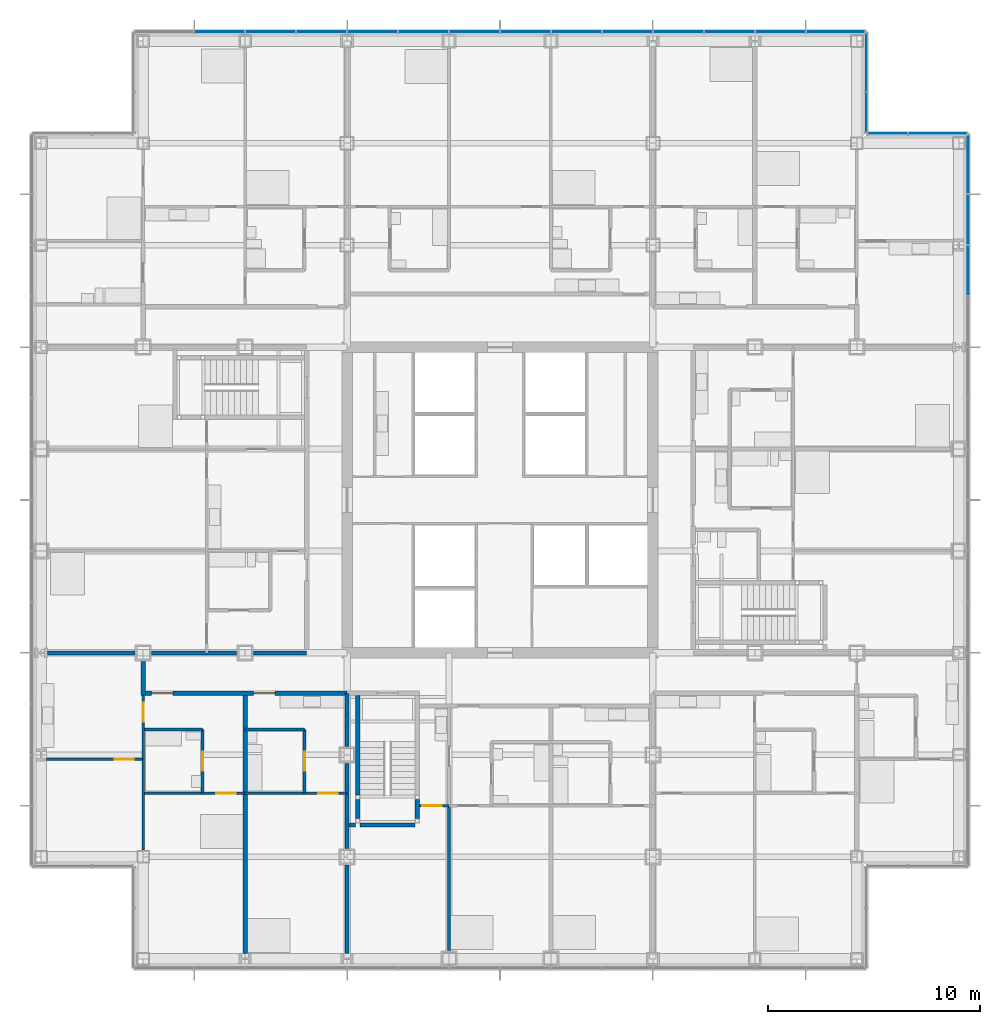
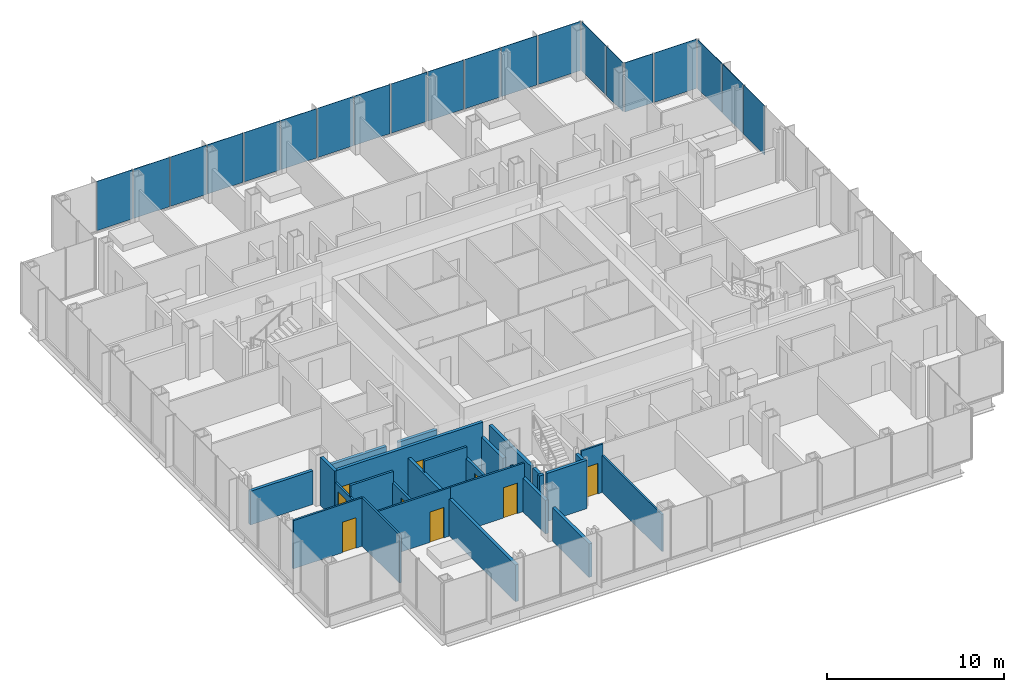
# One storey, part 13 of 21: 25 walls, 20 plates, 9 doors, 9 openings, 4 elements without a shape of their own.
"""IFC4 building model written with IfcOpenShell, lengths in metres."""

from ifc_helpers import new_model, si_unit, direction, frame, frame_2d, origin, origin_2d, place, context, subcontext, project, spatial, rectangle, extrude, material, layer, layer_set, type_object, element, fill, aggregate, save


model = new_model("IFC4")

# Units and contexts
model_context = context("Model", 3, precision=1e-05, world=origin(), true_north=direction((0.0, 1.0)))
body_context = subcontext(model_context, "Body", "Model", "MODEL_VIEW")
ifc_project = project(units=[si_unit("LENGTHUNIT", "METRE"), si_unit("AREAUNIT", "SQUARE_METRE"), si_unit("VOLUMEUNIT", "CUBIC_METRE"), si_unit("PLANEANGLEUNIT", "RADIAN"), si_unit("MASSUNIT", "GRAM", prefix="KILO")], contexts=[model_context])

# Site, building, storey
site_placement = place(None, origin())
site = spatial("IfcSite", under=ifc_project, at=site_placement, CompositionType="ELEMENT")
building_placement = place(site_placement, origin())
building = spatial("IfcBuilding", under=site, at=building_placement, Name="Kvirike Care Tower", CompositionType="ELEMENT")
storey_placement = place(building_placement, frame((0.0, 0.0, 37.5)))
storey = spatial("IfcBuildingStorey", under=building, at=storey_placement, Name="L09", CompositionType="ELEMENT", Elevation=37.5)

# Curtain wall, plates
ifc_material_1 = material(Name="Anodised aluminium stick system", Category="aluminium")
curtain_wall_type = type_object("IfcCurtainWallType", Name="CW-A STICK CURTAIN WALL", PredefinedType="NOTDEFINED", material=ifc_material_1)
curtain_wall_1_placement = place(storey_placement, origin())
curtain_wall_1 = element("IfcCurtainWall", 1, at=curtain_wall_1_placement, inside=storey, type_object=curtain_wall_type, Name="Curtain wall L09 face 7", PredefinedType="NOTDEFINED")
ifc_material_2 = material(Name="Tinted double glazed unit", Category="glass")
ifc_layer_1 = layer(ifc_material_2, 0.031982421875)
ifc_layer_set_1 = layer_set([ifc_layer_1], Name="TINTED VISION PANEL 32")
plate_type = type_object("IfcPlateType", Name="TINTED VISION PANEL 32", PredefinedType="CURTAIN_PANEL", material=ifc_layer_set_1)
plate_1_placement = place(storey_placement, frame((43.64990234375, 46.800048828125, 0.10009765625), z_axis=(0.0, 0.0, 1.0), x_axis=(0.0, 1.0, 0.0)))
plate_1 = element("IfcPlate", 2, at=plate_1_placement, type_object=plate_type, Name="CW-A panel L09 face 7.12", PredefinedType="CURTAIN_PANEL", context=body_context, shape_type="SweptSolid", body=[
    extrude(rectangle(XDim=2.3349609375, YDim=0.031982421875, at=origin_2d()), origin(), (0.0, 0.0, 1.0), 3.39990234375),
])
plate_2_placement = place(storey_placement, frame((43.64990234375, 49.199951171875, 0.10009765625), z_axis=(0.0, 0.0, 1.0), x_axis=(0.0, 1.0, 0.0)))
plate_2 = element("IfcPlate", 3, at=plate_2_placement, type_object=plate_type, Name="CW-A panel L09 face 7.13", PredefinedType="CURTAIN_PANEL", context=body_context, shape_type="SweptSolid", body=[
    extrude(rectangle(XDim=2.3349609375, YDim=0.031982421875, at=origin_2d()), origin(), (0.0, 0.0, 1.0), 3.39990234375),
])
plate_3_placement = place(storey_placement, frame((43.64990234375, 51.808837890625, 0.10009765625), z_axis=(0.0, 0.0, 1.0), x_axis=(0.0, 1.0, 0.0)))
plate_3 = element("IfcPlate", 4, at=plate_3_placement, type_object=plate_type, Name="CW-A panel L09 face 7.14", PredefinedType="CURTAIN_PANEL", context=body_context, shape_type="SweptSolid", body=[
    extrude(rectangle(XDim=2.75244140625, YDim=0.031982421875, at=origin_2d()), origin(), (0.0, 0.0, 1.0), 3.39990234375),
])
aggregate(curtain_wall_1, [plate_1, plate_2, plate_3])

curtain_wall_2_placement = place(storey_placement, origin())
curtain_wall_2 = element("IfcCurtainWall", 5, at=curtain_wall_2_placement, inside=storey, type_object=curtain_wall_type, Name="Curtain wall L09 face 8", PredefinedType="NOTDEFINED")
plate_4_placement = place(storey_placement, frame((42.208740234375, 53.25, 0.10009765625), z_axis=(0.0, 0.0, 1.0), x_axis=(-1.0, 0.0, 0.0)))
plate_4 = element("IfcPlate", 6, at=plate_4_placement, type_object=plate_type, Name="CW-A panel L09 face 8.1", PredefinedType="CURTAIN_PANEL", context=body_context, shape_type="SweptSolid", body=[
    extrude(rectangle(XDim=2.75244140625, YDim=0.031982421875, at=origin_2d()), origin(), (0.0, 0.0, 1.0), 3.39990234375),
])
plate_5_placement = place(storey_placement, frame((39.84130859375, 53.25, 0.10009765625), z_axis=(0.0, 0.0, 1.0), x_axis=(-1.0, 0.0, 0.0)))
plate_5 = element("IfcPlate", 7, at=plate_5_placement, type_object=plate_type, Name="CW-A panel L09 face 8.2", PredefinedType="CURTAIN_PANEL", context=body_context, shape_type="SweptSolid", body=[
    extrude(rectangle(XDim=1.8525390625, YDim=0.031982421875, at=origin_2d()), origin(), (0.0, 0.0, 1.0), 3.39990234375),
])
aggregate(curtain_wall_2, [plate_4, plate_5])

curtain_wall_3_placement = place(storey_placement, origin())
curtain_wall_3 = element("IfcCurtainWall", 8, at=curtain_wall_3_placement, inside=storey, type_object=curtain_wall_type, Name="Curtain wall L09 face 9", PredefinedType="NOTDEFINED")
plate_6_placement = place(storey_placement, frame((38.85009765625, 54.2412109375, 0.10009765625), z_axis=(0.0, 0.0, 1.0), x_axis=(0.0, 1.0, 0.0)))
plate_6 = element("IfcPlate", 9, at=plate_6_placement, type_object=plate_type, Name="CW-A panel L09 face 9.1", PredefinedType="CURTAIN_PANEL", context=body_context, shape_type="SweptSolid", body=[
    extrude(rectangle(XDim=1.8525390625, YDim=0.031982421875, at=origin_2d()), origin(), (0.0, 0.0, 1.0), 3.39990234375),
])
plate_7_placement = place(storey_placement, frame((38.85009765625, 56.608642578125, 0.10009765625), z_axis=(0.0, 0.0, 1.0), x_axis=(0.0, 1.0, 0.0)))
plate_7 = element("IfcPlate", 10, at=plate_7_placement, type_object=plate_type, Name="CW-A panel L09 face 9.2", PredefinedType="CURTAIN_PANEL", context=body_context, shape_type="SweptSolid", body=[
    extrude(rectangle(XDim=2.75244140625, YDim=0.031982421875, at=origin_2d()), origin(), (0.0, 0.0, 1.0), 3.39990234375),
])
aggregate(curtain_wall_3, [plate_6, plate_7])

curtain_wall_4_placement = place(storey_placement, origin())
curtain_wall_4 = element("IfcCurtainWall", 11, at=curtain_wall_4_placement, inside=storey, type_object=curtain_wall_type, Name="Curtain wall L09 face 10", PredefinedType="NOTDEFINED")
plate_8_placement = place(storey_placement, frame((37.40869140625, 58.050048828125, 0.10009765625), z_axis=(0.0, 0.0, 1.0), x_axis=(-1.0, 0.0, 0.0)))
plate_8 = element("IfcPlate", 12, at=plate_8_placement, type_object=plate_type, Name="CW-A panel L09 face 10.1", PredefinedType="CURTAIN_PANEL", context=body_context, shape_type="SweptSolid", body=[
    extrude(rectangle(XDim=2.75244140625, YDim=0.031982421875, at=origin_2d()), origin(), (0.0, 0.0, 1.0), 3.39990234375),
])
plate_9_placement = place(storey_placement, frame((34.800048828125, 58.050048828125, 0.10009765625), z_axis=(0.0, 0.0, 1.0), x_axis=(-1.0, 0.0, 0.0)))
plate_9 = element("IfcPlate", 13, at=plate_9_placement, type_object=plate_type, Name="CW-A panel L09 face 10.2", PredefinedType="CURTAIN_PANEL", context=body_context, shape_type="SweptSolid", body=[
    extrude(rectangle(XDim=2.3349609375, YDim=0.031982421875, at=origin_2d()), origin(), (0.0, 0.0, 1.0), 3.39990234375),
])
plate_10_placement = place(storey_placement, frame((32.39990234375, 58.050048828125, 0.10009765625), z_axis=(0.0, 0.0, 1.0), x_axis=(-1.0, 0.0, 0.0)))
plate_10 = element("IfcPlate", 14, at=plate_10_placement, type_object=plate_type, Name="CW-A panel L09 face 10.3", PredefinedType="CURTAIN_PANEL", context=body_context, shape_type="SweptSolid", body=[
    extrude(rectangle(XDim=2.3349609375, YDim=0.031982421875, at=origin_2d()), origin(), (0.0, 0.0, 1.0), 3.39990234375),
])
plate_11_placement = place(storey_placement, frame((30.0, 58.050048828125, 0.10009765625), z_axis=(0.0, 0.0, 1.0), x_axis=(-1.0, 0.0, 0.0)))
plate_11 = element("IfcPlate", 15, at=plate_11_placement, type_object=plate_type, Name="CW-A panel L09 face 10.4", PredefinedType="CURTAIN_PANEL", context=body_context, shape_type="SweptSolid", body=[
    extrude(rectangle(XDim=2.3349609375, YDim=0.031982421875, at=origin_2d()), origin(), (0.0, 0.0, 1.0), 3.39990234375),
])
plate_12_placement = place(storey_placement, frame((27.60009765625, 58.050048828125, 0.10009765625), z_axis=(0.0, 0.0, 1.0), x_axis=(-1.0, 0.0, 0.0)))
plate_12 = element("IfcPlate", 16, at=plate_12_placement, type_object=plate_type, Name="CW-A panel L09 face 10.5", PredefinedType="CURTAIN_PANEL", context=body_context, shape_type="SweptSolid", body=[
    extrude(rectangle(XDim=2.3349609375, YDim=0.031982421875, at=origin_2d()), origin(), (0.0, 0.0, 1.0), 3.39990234375),
])
plate_13_placement = place(storey_placement, frame((25.199951171875, 58.050048828125, 0.10009765625), z_axis=(0.0, 0.0, 1.0), x_axis=(-1.0, 0.0, 0.0)))
plate_13 = element("IfcPlate", 17, at=plate_13_placement, type_object=plate_type, Name="CW-A panel L09 face 10.6", PredefinedType="CURTAIN_PANEL", context=body_context, shape_type="SweptSolid", body=[
    extrude(rectangle(XDim=2.3349609375, YDim=0.031982421875, at=origin_2d()), origin(), (0.0, 0.0, 1.0), 3.39990234375),
])
plate_14_placement = place(storey_placement, frame((22.800048828125, 58.050048828125, 0.10009765625), z_axis=(0.0, 0.0, 1.0), x_axis=(-1.0, 0.0, 0.0)))
plate_14 = element("IfcPlate", 18, at=plate_14_placement, type_object=plate_type, Name="CW-A panel L09 face 10.7", PredefinedType="CURTAIN_PANEL", context=body_context, shape_type="SweptSolid", body=[
    extrude(rectangle(XDim=2.3349609375, YDim=0.031982421875, at=origin_2d()), origin(), (0.0, 0.0, 1.0), 3.39990234375),
])
plate_15_placement = place(storey_placement, frame((20.39990234375, 58.050048828125, 0.10009765625), z_axis=(0.0, 0.0, 1.0), x_axis=(-1.0, 0.0, 0.0)))
plate_15 = element("IfcPlate", 19, at=plate_15_placement, type_object=plate_type, Name="CW-A panel L09 face 10.8", PredefinedType="CURTAIN_PANEL", context=body_context, shape_type="SweptSolid", body=[
    extrude(rectangle(XDim=2.3349609375, YDim=0.031982421875, at=origin_2d()), origin(), (0.0, 0.0, 1.0), 3.39990234375),
])
plate_16_placement = place(storey_placement, frame((18.0, 58.050048828125, 0.10009765625), z_axis=(0.0, 0.0, 1.0), x_axis=(-1.0, 0.0, 0.0)))
plate_16 = element("IfcPlate", 20, at=plate_16_placement, type_object=plate_type, Name="CW-A panel L09 face 10.9", PredefinedType="CURTAIN_PANEL", context=body_context, shape_type="SweptSolid", body=[
    extrude(rectangle(XDim=2.3349609375, YDim=0.031982421875, at=origin_2d()), origin(), (0.0, 0.0, 1.0), 3.39990234375),
])
plate_17_placement = place(storey_placement, frame((15.60009765625, 58.050048828125, 0.10009765625), z_axis=(0.0, 0.0, 1.0), x_axis=(-1.0, 0.0, 0.0)))
plate_17 = element("IfcPlate", 21, at=plate_17_placement, type_object=plate_type, Name="CW-A panel L09 face 10.10", PredefinedType="CURTAIN_PANEL", context=body_context, shape_type="SweptSolid", body=[
    extrude(rectangle(XDim=2.3349609375, YDim=0.031982421875, at=origin_2d()), origin(), (0.0, 0.0, 1.0), 3.39990234375),
])
plate_18_placement = place(storey_placement, frame((13.199951171875, 58.050048828125, 0.10009765625), z_axis=(0.0, 0.0, 1.0), x_axis=(-1.0, 0.0, 0.0)))
plate_18 = element("IfcPlate", 22, at=plate_18_placement, type_object=plate_type, Name="CW-A panel L09 face 10.11", PredefinedType="CURTAIN_PANEL", context=body_context, shape_type="SweptSolid", body=[
    extrude(rectangle(XDim=2.3349609375, YDim=0.031982421875, at=origin_2d()), origin(), (0.0, 0.0, 1.0), 3.39990234375),
])
plate_19_placement = place(storey_placement, frame((10.800048828125, 58.050048828125, 0.10009765625), z_axis=(0.0, 0.0, 1.0), x_axis=(-1.0, 0.0, 0.0)))
plate_19 = element("IfcPlate", 23, at=plate_19_placement, type_object=plate_type, Name="CW-A panel L09 face 10.12", PredefinedType="CURTAIN_PANEL", context=body_context, shape_type="SweptSolid", body=[
    extrude(rectangle(XDim=2.3349609375, YDim=0.031982421875, at=origin_2d()), origin(), (0.0, 0.0, 1.0), 3.39990234375),
])
plate_20_placement = place(storey_placement, frame((8.39990234375, 58.050048828125, 0.10009765625), z_axis=(0.0, 0.0, 1.0), x_axis=(-1.0, 0.0, 0.0)))
plate_20 = element("IfcPlate", 24, at=plate_20_placement, type_object=plate_type, Name="CW-A panel L09 face 10.13", PredefinedType="CURTAIN_PANEL", context=body_context, shape_type="SweptSolid", body=[
    extrude(rectangle(XDim=2.3349609375, YDim=0.031982421875, at=origin_2d()), origin(), (0.0, 0.0, 1.0), 3.39990234375),
])
aggregate(curtain_wall_4, [plate_8, plate_9, plate_10, plate_11, plate_12, plate_13, plate_14, plate_15, plate_16, plate_17, plate_18, plate_19, plate_20])

# Wall, opening, door
ifc_material_3 = material(Name="Moisture-resistant board partition", Category="gypsum")
ifc_layer_2 = layer(ifc_material_3, 0.14990234375)
ifc_layer_set_2 = layer_set([ifc_layer_2], Name="BATHROOM WALL 150")
wall_type_1 = type_object("IfcWallType", Name="BATHROOM WALL 150", PredefinedType="PARTITIONING", material=ifc_layer_set_2)
wall_1_placement = place(storey_placement, frame((7.60009765625, 22.199951171875, 0.0), z_axis=(0.0, 0.0, 1.0), x_axis=(0.0, 1.0, 0.0)))
wall_1 = element("IfcWall", 25, at=wall_1_placement, inside=storey, type_object=wall_type_1, Name="Bathroom Wall 150 L09", PredefinedType="PARTITIONING", context=body_context, shape_type="SweptSolid", body=[
    extrude(rectangle(XDim=3.0, YDim=0.14990234375, at=frame_2d((1.5, 0.0))), origin(), (0.0, 0.0, 1.0), 2.550048828125),
])
opening_1_placement = place(wall_1_placement, frame((1.050048828125, 0.0, 0.0)))
opening_1 = element("IfcOpeningElement", 26, at=opening_1_placement, cuts=wall_1, Name="Opening 09-001", PredefinedType="OPENING", context=body_context, shape_type="SweptSolid", body=[
    extrude(rectangle(XDim=0.89990234375, YDim=2.10009765625, at=frame_2d((0.449951171875, 1.050048828125))), frame((0.0, 0.08544921875, 0.0), z_axis=(0.0, -1.0, 0.0), x_axis=(1.0, 0.0, 0.0)), (0.0, 0.0, 1.0), 0.1708984375),
])
ifc_material_4 = material(Name="Timber door set", Category="wood")
door_type_1 = type_object("IfcDoorType", Name="BATHROOM DOOR 900", OperationType="SINGLE_SWING_RIGHT", PredefinedType="DOOR", material=ifc_material_4)
door_1_placement = place(opening_1_placement, origin())
door_1 = element("IfcDoor", 27, at=door_1_placement, inside=storey, type_object=door_type_1, Name="Bathroom door", OperationType="SINGLE_SWING_LEFT", OverallHeight=2.10009765625, OverallWidth=0.89990234375, PredefinedType="DOOR", context=body_context, shape_type="SweptSolid", body=[
    extrude(rectangle(XDim=0.89990234375, YDim=2.10009765625, at=frame_2d((0.449951171875, 1.050048828125))), frame((0.0, 0.02197265625, 0.0), z_axis=(0.0, -1.0, 0.0), x_axis=(1.0, 0.0, 0.0)), (0.0, 0.0, 1.0), 0.0439453125),
])
fill(opening_1, door_1)

# Wall
wall_2_placement = place(storey_placement, frame((4.800048828125, 25.199951171875, 0.0), z_axis=(0.0, 0.0, 1.0), x_axis=(1.0, 0.0, 0.0)))
element("IfcWall", 28, at=wall_2_placement, inside=storey, type_object=wall_type_1, Name="Bathroom Wall 150 L09", PredefinedType="PARTITIONING", context=body_context, shape_type="SweptSolid", body=[
    extrude(rectangle(XDim=2.800048828125, YDim=0.14990234375, at=frame_2d((1.39990234375, 0.0))), origin(), (0.0, 0.0, 1.0), 3.330078125),
])

# Wall, opening, door
wall_3_placement = place(storey_placement, frame((12.39990234375, 22.199951171875, 0.0), z_axis=(0.0, 0.0, 1.0), x_axis=(0.0, 1.0, 0.0)))
wall_3 = element("IfcWall", 29, at=wall_3_placement, inside=storey, type_object=wall_type_1, Name="Bathroom Wall 150 L09", PredefinedType="PARTITIONING", context=body_context, shape_type="SweptSolid", body=[
    extrude(rectangle(XDim=3.0, YDim=0.14990234375, at=frame_2d((1.5, 0.0))), origin(), (0.0, 0.0, 1.0), 2.550048828125),
])
opening_2_placement = place(wall_3_placement, frame((1.050048828125, 0.0, 0.0)))
opening_2 = element("IfcOpeningElement", 30, at=opening_2_placement, cuts=wall_3, Name="Opening 09-005", PredefinedType="OPENING", context=body_context, shape_type="SweptSolid", body=[
    extrude(rectangle(XDim=0.89990234375, YDim=2.10009765625, at=frame_2d((0.449951171875, 1.050048828125))), frame((0.0, 0.08544921875, 0.0), z_axis=(0.0, -1.0, 0.0), x_axis=(1.0, 0.0, 0.0)), (0.0, 0.0, 1.0), 0.1708984375),
])
door_2_placement = place(opening_2_placement, origin())
door_2 = element("IfcDoor", 31, at=door_2_placement, inside=storey, type_object=door_type_1, Name="Bathroom door", OperationType="SINGLE_SWING_LEFT", OverallHeight=2.10009765625, OverallWidth=0.89990234375, PredefinedType="DOOR", context=body_context, shape_type="SweptSolid", body=[
    extrude(rectangle(XDim=0.89990234375, YDim=2.10009765625, at=frame_2d((0.449951171875, 1.050048828125))), frame((0.0, 0.02197265625, 0.0), z_axis=(0.0, -1.0, 0.0), x_axis=(1.0, 0.0, 0.0)), (0.0, 0.0, 1.0), 0.0439453125),
])
fill(opening_2, door_2)

# Wall
wall_4_placement = place(storey_placement, frame((9.60009765625, 25.199951171875, 0.0), z_axis=(0.0, 0.0, 1.0), x_axis=(1.0, 0.0, 0.0)))
element("IfcWall", 32, at=wall_4_placement, inside=storey, type_object=wall_type_1, Name="Bathroom Wall 150 L09", PredefinedType="PARTITIONING", context=body_context, shape_type="SweptSolid", body=[
    extrude(rectangle(XDim=2.7998046875, YDim=0.14990234375, at=frame_2d((1.39990234375, 0.0))), origin(), (0.0, 0.0, 1.0), 3.330078125),
])

# Wall, openings, doors
ifc_material_5 = material(Name="Plasterboard corridor wall", Category="gypsum")
ifc_layer_3 = layer(ifc_material_5, 0.199951171875)
ifc_layer_set_3 = layer_set([ifc_layer_3], Name="CORRIDOR WALL 200")
wall_type_2 = type_object("IfcWallType", Name="CORRIDOR WALL 200", PredefinedType="PARTITIONING", material=ifc_layer_set_3)
wall_5_placement = place(storey_placement, frame((4.800048828125, 26.89990234375, 0.0), z_axis=(0.0, 0.0, 1.0), x_axis=(1.0, 0.0, 0.0)))
wall_5 = element("IfcWall", 33, at=wall_5_placement, inside=storey, type_object=wall_type_2, Name="Corridor Wall 200 L09", PredefinedType="PARTITIONING", context=body_context, shape_type="SweptSolid", body=[
    extrude(rectangle(XDim=9.599853515625, YDim=0.199951171875, at=frame_2d((4.7998046875, 0.0))), origin(), (0.0, 0.0, 1.0), 3.330078125),
])
opening_3_placement = place(wall_5_placement, frame((0.39990234375, 0.0, 0.0)))
opening_3 = element("IfcOpeningElement", 34, at=opening_3_placement, cuts=wall_5, Name="Opening 09-007", PredefinedType="OPENING", context=body_context, shape_type="SweptSolid", body=[
    extrude(rectangle(XDim=1.0, YDim=2.10009765625, at=frame_2d((0.5, 1.050048828125))), frame((0.0, 0.110595703125, 0.0), z_axis=(0.0, -1.0, 0.0), x_axis=(1.0, 0.0, 0.0)), (0.0, 0.0, 1.0), 0.220947265625),
])
opening_4_placement = place(wall_5_placement, frame((5.199951171875, 0.0, 0.0)))
opening_4 = element("IfcOpeningElement", 35, at=opening_4_placement, cuts=wall_5, Name="Opening 09-008", PredefinedType="OPENING", context=body_context, shape_type="SweptSolid", body=[
    extrude(rectangle(XDim=1.0, YDim=2.10009765625, at=frame_2d((0.5, 1.050048828125))), frame((0.0, 0.110595703125, 0.0), z_axis=(0.0, -1.0, 0.0), x_axis=(1.0, 0.0, 0.0)), (0.0, 0.0, 1.0), 0.220947265625),
])
ifc_material_6 = material(Name="Timber door set", Category="wood")
door_type_2 = type_object("IfcDoorType", Name="FLAT ENTRANCE DOOR 1000", OperationType="SINGLE_SWING_LEFT", PredefinedType="DOOR", material=ifc_material_6)
door_3_placement = place(opening_3_placement, frame((1.0, 0.0, 0.0), z_axis=(0.0, 0.0, 1.0), x_axis=(-1.0, 0.0, 0.0)))
door_3 = element("IfcDoor", 36, at=door_3_placement, inside=storey, type_object=door_type_2, Name="One-bedroom apartment entrance", OperationType="SINGLE_SWING_LEFT", OverallHeight=2.10009765625, OverallWidth=1.0, PredefinedType="DOOR", context=body_context, shape_type="SweptSolid", body=[
    extrude(rectangle(XDim=1.0, YDim=2.10009765625, at=frame_2d((0.5, 1.050048828125))), frame((0.0, 0.02685546875, 0.0), z_axis=(0.0, -1.0, 0.0), x_axis=(1.0, 0.0, 0.0)), (0.0, 0.0, 1.0), 0.053955078125),
])
fill(opening_3, door_3)
door_4_placement = place(opening_4_placement, frame((1.0, 0.0, 0.0), z_axis=(0.0, 0.0, 1.0), x_axis=(-1.0, 0.0, 0.0)))
door_4 = element("IfcDoor", 37, at=door_4_placement, inside=storey, type_object=door_type_2, Name="Studio apartment entrance", OperationType="SINGLE_SWING_RIGHT", OverallHeight=2.10009765625, OverallWidth=1.0, PredefinedType="DOOR", context=body_context, shape_type="SweptSolid", body=[
    extrude(rectangle(XDim=1.0, YDim=2.10009765625, at=frame_2d((0.5, 1.050048828125))), frame((0.0, 0.02685546875, 0.0), z_axis=(0.0, -1.0, 0.0), x_axis=(1.0, 0.0, 0.0)), (0.0, 0.0, 1.0), 0.053955078125),
])
fill(opening_4, door_4)

# Wall
wall_6_placement = place(storey_placement, frame((4.800048828125, 26.800048828125, 0.0), z_axis=(0.0, 0.0, 1.0), x_axis=(0.0, 1.0, 0.0)))
element("IfcWall", 38, at=wall_6_placement, inside=storey, type_object=wall_type_2, Name="Corridor Wall 200 L09", PredefinedType="PARTITIONING", context=body_context, shape_type="SweptSolid", body=[
    extrude(rectangle(XDim=1.60498046875, YDim=0.199951171875, at=frame_2d((0.802490234375, 0.0))), origin(), (0.0, 0.0, 1.0), 3.330078125),
])

# Wall, opening, door
ifc_material_7 = material(Name="Plasterboard partition", Category="gypsum")
ifc_layer_4 = layer(ifc_material_7, 0.1201171875)
ifc_layer_set_4 = layer_set([ifc_layer_4], Name="PARTITION 120")
wall_type_3 = type_object("IfcWallType", Name="PARTITION 120", PredefinedType="PARTITIONING", material=ifc_layer_set_4)
wall_7_placement = place(storey_placement, frame((4.800048828125, 23.800048828125, 0.0), z_axis=(0.0, 0.0, 1.0), x_axis=(0.0, 1.0, 0.0)))
wall_7 = element("IfcWall", 39, at=wall_7_placement, inside=storey, type_object=wall_type_3, Name="Partition 120 L09", PredefinedType="PARTITIONING", context=body_context, shape_type="SweptSolid", body=[
    extrude(rectangle(XDim=3.0, YDim=0.1201171875, at=frame_2d((1.5, 0.0))), origin(), (0.0, 0.0, 1.0), 2.550048828125),
])
opening_5_placement = place(wall_7_placement, frame((1.75, 0.0, 0.0)))
opening_5 = element("IfcOpeningElement", 40, at=opening_5_placement, cuts=wall_7, Name="Opening 09-002", PredefinedType="OPENING", context=body_context, shape_type="SweptSolid", body=[
    extrude(rectangle(XDim=0.89990234375, YDim=2.10009765625, at=frame_2d((0.449951171875, 1.050048828125))), frame((0.0, 0.070556640625, 0.0), z_axis=(0.0, -1.0, 0.0), x_axis=(1.0, 0.0, 0.0)), (0.0, 0.0, 1.0), 0.14111328125),
])
ifc_material_8 = material(Name="Timber door set", Category="wood")
door_type_3 = type_object("IfcDoorType", Name="INTERNAL DOOR 900", OperationType="SINGLE_SWING_LEFT", PredefinedType="DOOR", material=ifc_material_8)
door_5_placement = place(opening_5_placement, origin())
door_5 = element("IfcDoor", 41, at=door_5_placement, inside=storey, type_object=door_type_3, Name="Hall door", OperationType="SINGLE_SWING_RIGHT", OverallHeight=2.10009765625, OverallWidth=0.89990234375, PredefinedType="DOOR", context=body_context, shape_type="SweptSolid", body=[
    extrude(rectangle(XDim=0.89990234375, YDim=2.10009765625, at=frame_2d((0.449951171875, 1.050048828125))), frame((0.0, 0.02197265625, 0.0), z_axis=(0.0, -1.0, 0.0), x_axis=(1.0, 0.0, 0.0)), (0.0, 0.0, 1.0), 0.0439453125),
])
fill(opening_5, door_5)

wall_8_placement = place(storey_placement, frame((0.2470703125, 23.800048828125, 0.0), z_axis=(0.0, 0.0, 1.0), x_axis=(1.0, 0.0, 0.0)))
wall_8 = element("IfcWall", 42, at=wall_8_placement, inside=storey, type_object=wall_type_3, Name="Partition 120 L09", PredefinedType="PARTITIONING", context=body_context, shape_type="SweptSolid", body=[
    extrude(rectangle(XDim=4.552978515625, YDim=0.1201171875, at=frame_2d((2.2763671875, 0.0))), origin(), (0.0, 0.0, 1.0), 3.330078125),
])
opening_6_placement = place(wall_8_placement, frame((3.202880859375, 0.0, 0.0)))
opening_6 = element("IfcOpeningElement", 43, at=opening_6_placement, cuts=wall_8, Name="Opening 09-003", PredefinedType="OPENING", context=body_context, shape_type="SweptSolid", body=[
    extrude(rectangle(XDim=0.89990234375, YDim=2.10009765625, at=frame_2d((0.449951171875, 1.050048828125))), frame((0.0, 0.070556640625, 0.0), z_axis=(0.0, -1.0, 0.0), x_axis=(1.0, 0.0, 0.0)), (0.0, 0.0, 1.0), 0.14111328125),
])
door_6_placement = place(opening_6_placement, frame((0.89990234375, 0.0, 0.0), z_axis=(0.0, 0.0, 1.0), x_axis=(-1.0, 0.0, 0.0)))
door_6 = element("IfcDoor", 44, at=door_6_placement, inside=storey, type_object=door_type_3, Name="Apartment living room door", OperationType="SINGLE_SWING_RIGHT", OverallHeight=2.10009765625, OverallWidth=0.89990234375, PredefinedType="DOOR", context=body_context, shape_type="SweptSolid", body=[
    extrude(rectangle(XDim=0.89990234375, YDim=2.10009765625, at=frame_2d((0.449951171875, 1.050048828125))), frame((0.0, 0.02197265625, 0.0), z_axis=(0.0, -1.0, 0.0), x_axis=(1.0, 0.0, 0.0)), (0.0, 0.0, 1.0), 0.0439453125),
])
fill(opening_6, door_6)

wall_9_placement = place(storey_placement, frame((4.800048828125, 22.199951171875, 0.0), z_axis=(0.0, 0.0, 1.0), x_axis=(1.0, 0.0, 0.0)))
wall_9 = element("IfcWall", 45, at=wall_9_placement, inside=storey, type_object=wall_type_3, Name="Partition 120 L09", PredefinedType="PARTITIONING", context=body_context, shape_type="SweptSolid", body=[
    extrude(rectangle(XDim=4.800048828125, YDim=0.1201171875, at=frame_2d((2.39990234375, 0.0))), origin(), (0.0, 0.0, 1.0), 3.330078125),
])
opening_7_placement = place(wall_9_placement, frame((3.449951171875, 0.0, 0.0)))
opening_7 = element("IfcOpeningElement", 46, at=opening_7_placement, cuts=wall_9, Name="Opening 09-004", PredefinedType="OPENING", context=body_context, shape_type="SweptSolid", body=[
    extrude(rectangle(XDim=0.89990234375, YDim=2.10009765625, at=frame_2d((0.449951171875, 1.050048828125))), frame((0.0, 0.070556640625, 0.0), z_axis=(0.0, -1.0, 0.0), x_axis=(1.0, 0.0, 0.0)), (0.0, 0.0, 1.0), 0.14111328125),
])
door_7_placement = place(opening_7_placement, origin())
door_7 = element("IfcDoor", 47, at=door_7_placement, inside=storey, type_object=door_type_3, Name="Apartment bedroom door", OperationType="SINGLE_SWING_LEFT", OverallHeight=2.10009765625, OverallWidth=0.89990234375, PredefinedType="DOOR", context=body_context, shape_type="SweptSolid", body=[
    extrude(rectangle(XDim=0.89990234375, YDim=2.10009765625, at=frame_2d((0.449951171875, 1.050048828125))), frame((0.0, 0.02197265625, 0.0), z_axis=(0.0, -1.0, 0.0), x_axis=(1.0, 0.0, 0.0)), (0.0, 0.0, 1.0), 0.0439453125),
])
fill(opening_7, door_7)

# Wall
wall_10_placement = place(storey_placement, frame((4.800048828125, 19.52001953125, 0.0), z_axis=(0.0, 0.0, 1.0), x_axis=(0.0, 1.0, 0.0)))
element("IfcWall", 48, at=wall_10_placement, inside=storey, type_object=wall_type_3, Name="Partition 120 L09", PredefinedType="PARTITIONING", context=body_context, shape_type="SweptSolid", body=[
    extrude(rectangle(XDim=4.280029296875, YDim=0.1201171875, at=frame_2d((2.14013671875, 0.0))), origin(), (0.0, 0.0, 1.0), 3.330078125),
])

# Wall, opening, door
wall_11_placement = place(storey_placement, frame((9.60009765625, 22.199951171875, 0.0), z_axis=(0.0, 0.0, 1.0), x_axis=(1.0, 0.0, 0.0)))
wall_11 = element("IfcWall", 49, at=wall_11_placement, inside=storey, type_object=wall_type_3, Name="Partition 120 L09", PredefinedType="PARTITIONING", context=body_context, shape_type="SweptSolid", body=[
    extrude(rectangle(XDim=4.7998046875, YDim=0.1201171875, at=frame_2d((2.39990234375, 0.0))), origin(), (0.0, 0.0, 1.0), 3.330078125),
])
opening_8_placement = place(wall_11_placement, frame((3.449951171875, 0.0, 0.0)))
opening_8 = element("IfcOpeningElement", 50, at=opening_8_placement, cuts=wall_11, Name="Opening 09-006", PredefinedType="OPENING", context=body_context, shape_type="SweptSolid", body=[
    extrude(rectangle(XDim=0.89990234375, YDim=2.10009765625, at=frame_2d((0.449951171875, 1.050048828125))), frame((0.0, 0.070556640625, 0.0), z_axis=(0.0, -1.0, 0.0), x_axis=(1.0, 0.0, 0.0)), (0.0, 0.0, 1.0), 0.14111328125),
])
door_8_placement = place(opening_8_placement, origin())
door_8 = element("IfcDoor", 51, at=door_8_placement, inside=storey, type_object=door_type_3, Name="Studio apartment living room door", OperationType="SINGLE_SWING_LEFT", OverallHeight=2.10009765625, OverallWidth=0.89990234375, PredefinedType="DOOR", context=body_context, shape_type="SweptSolid", body=[
    extrude(rectangle(XDim=0.89990234375, YDim=2.10009765625, at=frame_2d((0.449951171875, 1.050048828125))), frame((0.0, 0.02197265625, 0.0), z_axis=(0.0, -1.0, 0.0), x_axis=(1.0, 0.0, 0.0)), (0.0, 0.0, 1.0), 0.0439453125),
])
fill(opening_8, door_8)

wall_12_placement = place(storey_placement, frame((17.800048828125, 21.60009765625, 0.0), z_axis=(0.0, 0.0, 1.0), x_axis=(1.0, 0.0, 0.0)))
wall_12 = element("IfcWall", 52, at=wall_12_placement, inside=storey, type_object=wall_type_3, Name="Partition 120 L09", PredefinedType="PARTITIONING", context=body_context, shape_type="SweptSolid", body=[
    extrude(rectangle(XDim=1.39990234375, YDim=0.1201171875, at=frame_2d((0.699951171875, 0.0))), origin(), (0.0, 0.0, 1.0), 3.330078125),
])
opening_9_placement = place(wall_12_placement, frame((0.14990234375, 0.0, 0.0)))
opening_9 = element("IfcOpeningElement", 53, at=opening_9_placement, cuts=wall_12, Name="Opening 09-027", PredefinedType="OPENING", context=body_context, shape_type="SweptSolid", body=[
    extrude(rectangle(XDim=0.89990234375, YDim=2.10009765625, at=frame_2d((0.449951171875, 1.050048828125))), frame((0.0, 0.070556640625, 0.0), z_axis=(0.0, -1.0, 0.0), x_axis=(1.0, 0.0, 0.0)), (0.0, 0.0, 1.0), 0.14111328125),
])
door_9_placement = place(opening_9_placement, origin())
door_9 = element("IfcDoor", 54, at=door_9_placement, inside=storey, type_object=door_type_3, Name="Apartment living room door", OperationType="SINGLE_SWING_RIGHT", OverallHeight=2.10009765625, OverallWidth=0.89990234375, PredefinedType="DOOR", context=body_context, shape_type="SweptSolid", body=[
    extrude(rectangle(XDim=0.89990234375, YDim=2.10009765625, at=frame_2d((0.449951171875, 1.050048828125))), frame((0.0, 0.02197265625, 0.0), z_axis=(0.0, -1.0, 0.0), x_axis=(1.0, 0.0, 0.0)), (0.0, 0.0, 1.0), 0.0439453125),
])
fill(opening_9, door_9)

# Walls
wall_13_placement = place(storey_placement, frame((19.199951171875, 14.794921875, 0.0), z_axis=(0.0, 0.0, 1.0), x_axis=(0.0, 1.0, 0.0)))
element("IfcWall", 55, at=wall_13_placement, inside=storey, type_object=wall_type_3, Name="Partition 120 L09", PredefinedType="PARTITIONING", context=body_context, shape_type="SweptSolid", body=[
    extrude(rectangle(XDim=6.80517578125, YDim=0.1201171875, at=frame_2d((3.402587890625, 0.0))), origin(), (0.0, 0.0, 1.0), 2.550048828125),
])
ifc_material_9 = material(Name="Plasterboard party wall", Category="gypsum")
ifc_layer_5 = layer(ifc_material_9, 0.199951171875)
ifc_layer_set_5 = layer_set([ifc_layer_5], Name="PARTY WALL 200")
wall_type_4 = type_object("IfcWallType", Name="PARTY WALL 200", PredefinedType="PARTITIONING", material=ifc_layer_set_5)
wall_14_placement = place(storey_placement, frame((9.60009765625, 14.64697265625, 0.0), z_axis=(0.0, 0.0, 1.0), x_axis=(0.0, 1.0, 0.0)))
element("IfcWall", 56, at=wall_14_placement, inside=storey, type_object=wall_type_4, Name="Party Wall 200 L09", PredefinedType="PARTITIONING", context=body_context, shape_type="SweptSolid", body=[
    extrude(rectangle(XDim=12.153076171875, YDim=0.199951171875, at=frame_2d((6.07666015625, 0.0))), origin(), (0.0, 0.0, 1.0), 2.550048828125),
])
wall_15_placement = place(storey_placement, frame((12.5, 28.800048828125, 0.0), z_axis=(0.0, 0.0, 1.0), x_axis=(-1.0, 0.0, 0.0)))
element("IfcWall", 57, at=wall_15_placement, inside=storey, type_object=wall_type_4, Name="Party Wall 200 L09", PredefinedType="PARTITIONING", context=body_context, shape_type="SweptSolid", body=[
    extrude(rectangle(XDim=2.5048828125, YDim=0.199951171875, at=frame_2d((1.25244140625, 0.0))), origin(), (0.0, 0.0, 1.0), 2.320068359375),
])
wall_16_placement = place(storey_placement, frame((9.205078125, 28.800048828125, 0.0), z_axis=(0.0, 0.0, 1.0), x_axis=(-1.0, 0.0, 0.0)))
element("IfcWall", 58, at=wall_16_placement, inside=storey, type_object=wall_type_4, Name="Party Wall 200 L09", PredefinedType="PARTITIONING", context=body_context, shape_type="SweptSolid", body=[
    extrude(rectangle(XDim=4.010009765625, YDim=0.199951171875, at=frame_2d((2.0048828125, 0.0))), origin(), (0.0, 0.0, 1.0), 2.320068359375),
])
wall_17_placement = place(storey_placement, frame((4.405029296875, 28.800048828125, 0.0), z_axis=(0.0, 0.0, 1.0), x_axis=(-1.0, 0.0, 0.0)))
element("IfcWall", 59, at=wall_17_placement, inside=storey, type_object=wall_type_4, Name="Party Wall 200 L09", PredefinedType="PARTITIONING", context=body_context, shape_type="SweptSolid", body=[
    extrude(rectangle(XDim=4.1005859375, YDim=0.199951171875, at=frame_2d((2.05029296875, 0.0))), origin(), (0.0, 0.0, 1.0), 2.320068359375),
])
wall_18_placement = place(storey_placement, frame((14.39990234375, 14.64697265625, 0.0), z_axis=(0.0, 0.0, 1.0), x_axis=(0.0, 1.0, 0.0)))
element("IfcWall", 60, at=wall_18_placement, inside=storey, type_object=wall_type_4, Name="Party Wall 200 L09", PredefinedType="PARTITIONING", context=body_context, shape_type="SweptSolid", body=[
    extrude(rectangle(XDim=4.157958984375, YDim=0.199951171875, at=frame_2d((2.0791015625, 0.0))), origin(), (0.0, 0.0, 1.0), 2.320068359375),
])
wall_19_placement = place(storey_placement, frame((14.39990234375, 19.594970703125, 0.0), z_axis=(0.0, 0.0, 1.0), x_axis=(0.0, 1.0, 0.0)))
element("IfcWall", 61, at=wall_19_placement, inside=storey, type_object=wall_type_4, Name="Party Wall 200 L09", PredefinedType="PARTITIONING", context=body_context, shape_type="SweptSolid", body=[
    extrude(rectangle(XDim=4.010009765625, YDim=0.199951171875, at=frame_2d((2.0048828125, 0.0))), origin(), (0.0, 0.0, 1.0), 2.320068359375),
])
wall_20_placement = place(storey_placement, frame((14.39990234375, 24.39501953125, 0.0), z_axis=(0.0, 0.0, 1.0), x_axis=(0.0, 1.0, 0.0)))
element("IfcWall", 62, at=wall_20_placement, inside=storey, type_object=wall_type_4, Name="Party Wall 200 L09", PredefinedType="PARTITIONING", context=body_context, shape_type="SweptSolid", body=[
    extrude(rectangle(XDim=2.5048828125, YDim=0.199951171875, at=frame_2d((1.25244140625, 0.0))), origin(), (0.0, 0.0, 1.0), 2.320068359375),
])
ifc_material_10 = material(Name="Concrete C40/50", Category="concrete")
ifc_layer_6 = layer(ifc_material_10, 0.199951171875)
ifc_layer_set_6 = layer_set([ifc_layer_6], Name="STAIR WALL 200")
wall_type_5 = type_object("IfcWallType", Name="STAIR WALL 200", PredefinedType="SOLIDWALL", material=ifc_layer_set_6)
wall_21_placement = place(storey_placement, frame((14.89990234375, 21.0, 0.0), z_axis=(0.0, 0.0, 1.0), x_axis=(0.0, 1.0, 0.0)))
element("IfcWall", 63, at=wall_21_placement, inside=storey, type_object=wall_type_5, Name="Stair Wall 200 L09", PredefinedType="SOLIDWALL", context=body_context, shape_type="SweptSolid", body=[
    extrude(rectangle(XDim=0.89990234375, YDim=0.199951171875, at=frame_2d((0.449951171875, 0.0))), origin(), (0.0, 0.0, 1.0), 2.989990234375),
])
wall_22_placement = place(storey_placement, frame((14.89990234375, 22.10009765625, 0.0), z_axis=(0.0, 0.0, 1.0), x_axis=(0.0, 1.0, 0.0)))
element("IfcWall", 64, at=wall_22_placement, inside=storey, type_object=wall_type_5, Name="Stair Wall 200 L09", PredefinedType="SOLIDWALL", context=body_context, shape_type="SweptSolid", body=[
    extrude(rectangle(XDim=4.699951171875, YDim=0.199951171875, at=frame_2d((2.35009765625, 0.0))), origin(), (0.0, 0.0, 1.0), 2.989990234375),
])
wall_23_placement = place(storey_placement, frame((17.699951171875, 21.0, 0.0), z_axis=(0.0, 0.0, 1.0), x_axis=(0.0, 1.0, 0.0)))
element("IfcWall", 65, at=wall_23_placement, inside=storey, type_object=wall_type_5, Name="Stair Wall 200 L09", PredefinedType="SOLIDWALL", context=body_context, shape_type="SweptSolid", body=[
    extrude(rectangle(XDim=0.89990234375, YDim=0.199951171875, at=frame_2d((0.449951171875, 0.0))), origin(), (0.0, 0.0, 1.0), 2.989990234375),
])
wall_24_placement = place(storey_placement, frame((14.5, 20.699951171875, 0.0), z_axis=(0.0, 0.0, 1.0), x_axis=(1.0, 0.0, 0.0)))
element("IfcWall", 66, at=wall_24_placement, inside=storey, type_object=wall_type_5, Name="Stair Wall 200 L09", PredefinedType="SOLIDWALL", context=body_context, shape_type="SweptSolid", body=[
    extrude(rectangle(XDim=0.300048828125, YDim=0.199951171875, at=frame_2d((0.14990234375, 0.0))), origin(), (0.0, 0.0, 1.0), 3.330078125),
])
wall_25_placement = place(storey_placement, frame((15.0, 20.699951171875, 0.0), z_axis=(0.0, 0.0, 1.0), x_axis=(1.0, 0.0, 0.0)))
element("IfcWall", 67, at=wall_25_placement, inside=storey, type_object=wall_type_5, Name="Stair Wall 200 L09", PredefinedType="SOLIDWALL", context=body_context, shape_type="SweptSolid", body=[
    extrude(rectangle(XDim=2.60009765625, YDim=0.199951171875, at=frame_2d((1.300048828125, 0.0))), origin(), (0.0, 0.0, 1.0), 3.330078125),
])

save(model, "model.ifc")
